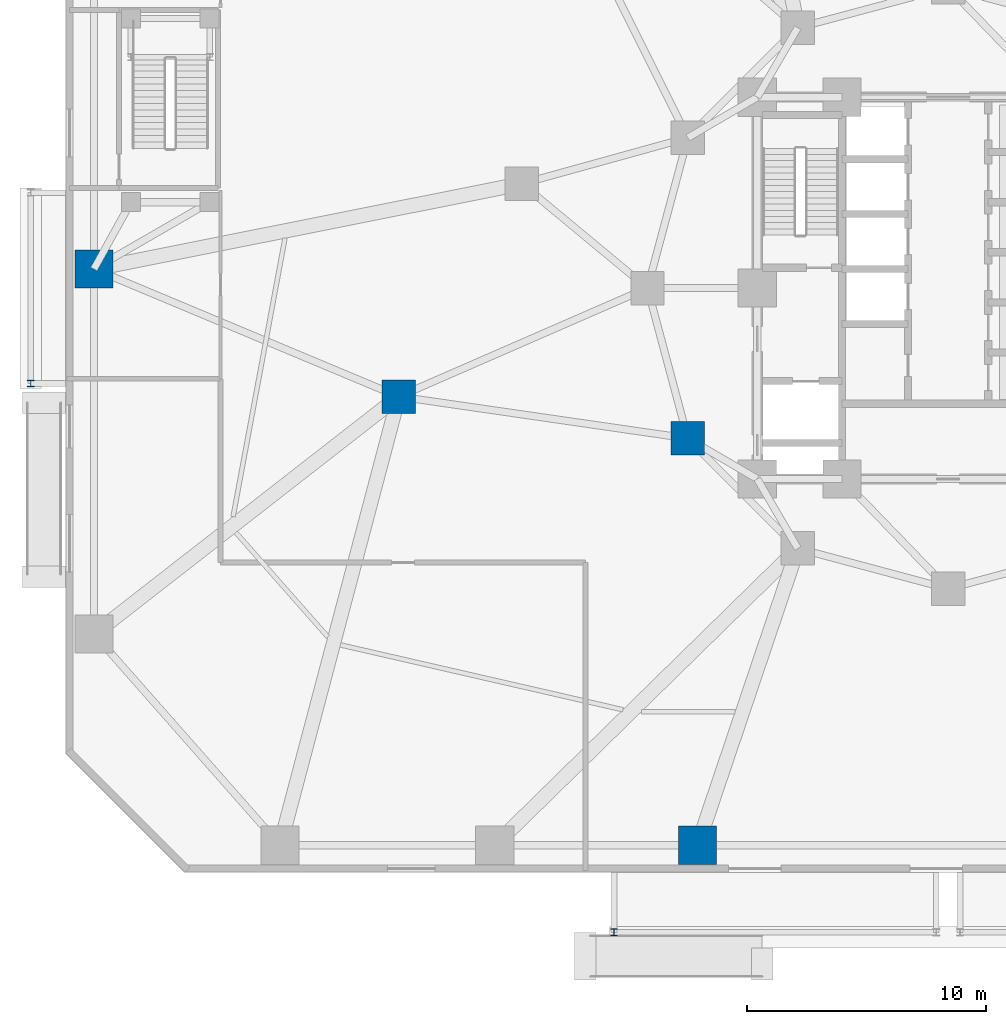
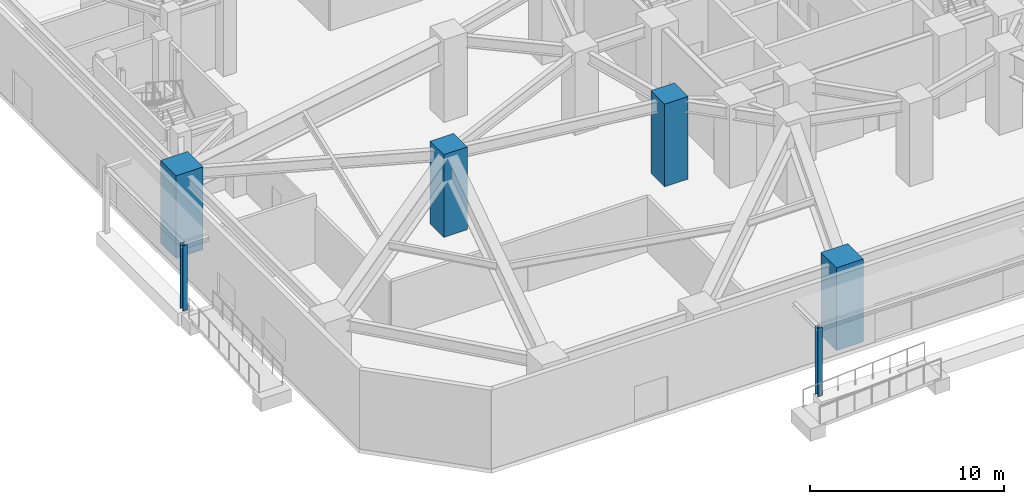
# One storey, part 2 of 30: 6 columns.
"""IFC4 building model written with IfcOpenShell, lengths in metres."""

from ifc_helpers import new_model, si_unit, direction, frame, origin, origin_2d, place, context, subcontext, project, spatial, rectangle, i_section, extrude, material, material_profile, profile_set, type_object, element, save


model = new_model("IFC4")

# Units and contexts
model_context = context("Model", 3, precision=1e-05, world=origin(), true_north=direction((0.0, 1.0)))
body_context = subcontext(model_context, "Body", "Model", "MODEL_VIEW")
ifc_project = project(units=[si_unit("LENGTHUNIT", "METRE"), si_unit("AREAUNIT", "SQUARE_METRE"), si_unit("VOLUMEUNIT", "CUBIC_METRE"), si_unit("PLANEANGLEUNIT", "RADIAN"), si_unit("MASSUNIT", "GRAM", prefix="KILO")], contexts=[model_context])

# Site, building, storey
site_placement = place(None, origin())
site = spatial("IfcSite", under=ifc_project, at=site_placement, CompositionType="ELEMENT")
building_placement = place(site_placement, origin())
building = spatial("IfcBuilding", under=site, at=building_placement, Name="Terralouvre Media Tower", CompositionType="ELEMENT")
storey_placement = place(building_placement, origin())
storey = spatial("IfcBuildingStorey", under=building, at=storey_placement, Name="L00", CompositionType="ELEMENT", Elevation=0.0)

# Columns
ifc_material_1 = material(Name="Structural steel S355J2", Category="steel")
ifc_material_profile_1 = material_profile(ifc_material_1, i_section(OverallWidth=0.280029296875, OverallDepth=0.280029296875, WebThickness=0.010498046875, FlangeThickness=0.01806640625, at=origin_2d()), Name="HEB 280")
ifc_profile_set_1 = profile_set([ifc_material_profile_1], Name="Structural steel S355J2")
column_type_1 = type_object("IfcColumnType", Name="Basement Aisle Pilaster PL-HEB280 (HEB 280)", PredefinedType="PILASTER", material=ifc_profile_set_1)
column_1_placement = place(storey_placement, frame((-14.0, -27.0, -0.10009765625), z_axis=(0.0, 0.0, 1.0), x_axis=(1.0, 0.0, 0.0)))
element("IfcColumn", 1, at=column_1_placement, inside=storey, type_object=column_type_1, Name="L00 Canopy Support Post CANS1-1", PredefinedType="PILASTER", context=body_context, shape_type="SweptSolid", body=[
    extrude(i_section(OverallWidth=0.280029296875, OverallDepth=0.280029296875, WebThickness=0.010498046875, FlangeThickness=0.01806640625, at=origin_2d()), origin(), (0.0, 0.0, 1.0), 4.300048828125),
])
column_2_placement = place(storey_placement, frame((-38.449951171875, -4.0, -0.10009765625), z_axis=(0.0, 0.0, 1.0), x_axis=(1.0, 0.0, 0.0)))
element("IfcColumn", 2, at=column_2_placement, inside=storey, type_object=column_type_1, Name="L00 Canopy Support Post CANW1-1", PredefinedType="PILASTER", context=body_context, shape_type="SweptSolid", body=[
    extrude(i_section(OverallWidth=0.280029296875, OverallDepth=0.280029296875, WebThickness=0.010498046875, FlangeThickness=0.01806640625, at=origin_2d()), origin(), (0.0, 0.0, 1.0), 4.10009765625),
])
ifc_material_2 = material(Name="Concrete C60/75", Category="concrete")
ifc_material_profile_2 = material_profile(ifc_material_2, rectangle(XDim=1.39990234375, YDim=1.39990234375, at=origin_2d()), Name="RC 1400x1400")
ifc_profile_set_2 = profile_set([ifc_material_profile_2], Name="Concrete C60/75")
column_type_2 = type_object("IfcColumnType", Name="Structural Column C-RC1400 (RC 1400x1400)", PredefinedType="COLUMN", material=ifc_profile_set_2)
for number, where, z_axis, x_axis, name in (
    (3, (-10.911865234375, -6.300048828125, 0.0), (0.0, 0.0, 1.0), (1.0, 0.0, 0.0), "L00 Mega-Frame Column MC08"),
    (4, (-23.02490234375, -4.546630859375, 0.0), (0.0, 0.0, 1.0), (1.0, 0.0, 0.0), "L00 Podium Transfer Column PM24"),
):
    element("IfcColumn", number, at=place(storey_placement, frame(where, z_axis=z_axis, x_axis=x_axis)), inside=storey, type_object=column_type_2, Name=name, PredefinedType="COLUMN", context=body_context, shape_type="SweptSolid", body=[
        extrude(rectangle(XDim=1.39990234375, YDim=1.39990234375, at=origin_2d()), origin(), (0.0, 0.0, 1.0), 5.199951171875),
    ])
ifc_material_3 = material(Name="Concrete C60/75", Category="concrete")
ifc_material_profile_3 = material_profile(ifc_material_3, rectangle(XDim=1.60009765625, YDim=1.60009765625, at=origin_2d()), Name="RC 1600x1600")
ifc_profile_set_3 = profile_set([ifc_material_profile_3], Name="Concrete C60/75")
column_type_3 = type_object("IfcColumnType", Name="Structural Column C-RC1600 (RC 1600x1600)", PredefinedType="COLUMN", material=ifc_profile_set_3)
for number, where, z_axis, x_axis, name in (
    (5, (-10.5, -23.35009765625, 0.0), (0.0, 0.0, 1.0), (1.0, 0.0, 0.0), "L00 Perimeter Mega-Column PM03"),
    (6, (-35.800048828125, 0.800048828125, 0.0), (0.0, 0.0, 1.0), (1.0, 0.0, 0.0), "L00 Perimeter Mega-Column PM17"),
):
    element("IfcColumn", number, at=place(storey_placement, frame(where, z_axis=z_axis, x_axis=x_axis)), inside=storey, type_object=column_type_3, Name=name, PredefinedType="COLUMN", context=body_context, shape_type="SweptSolid", body=[
        extrude(rectangle(XDim=1.60009765625, YDim=1.60009765625, at=origin_2d()), origin(), (0.0, 0.0, 1.0), 5.199951171875),
    ])

save(model, "model.ifc")
